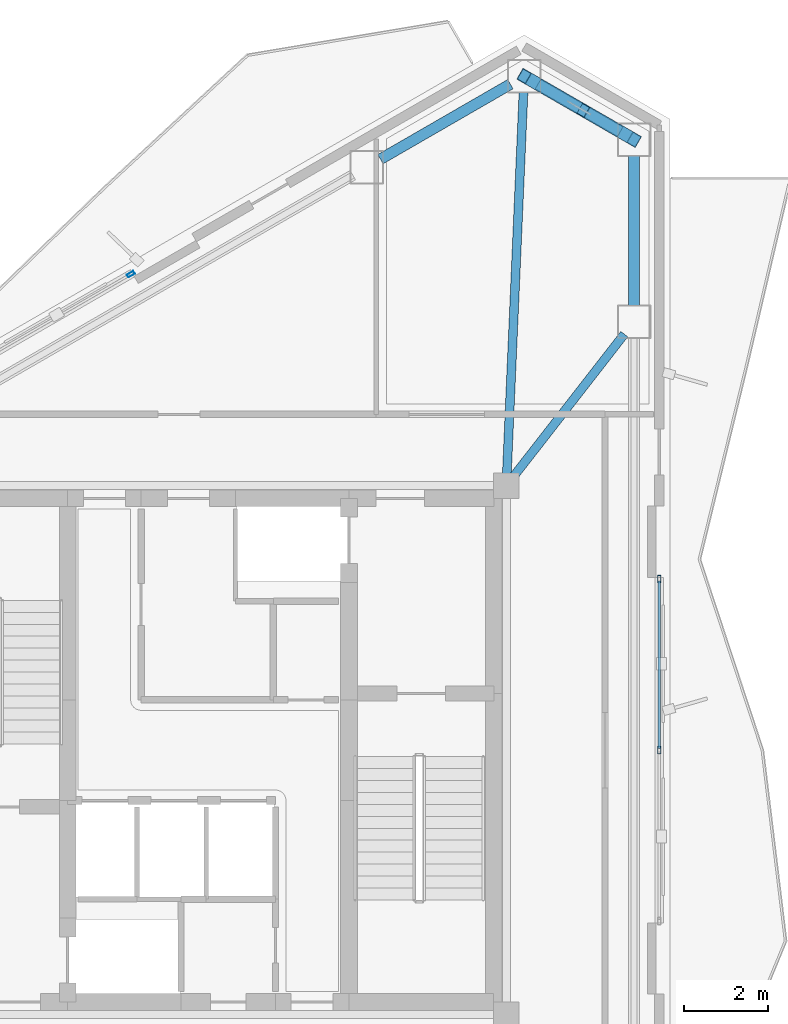
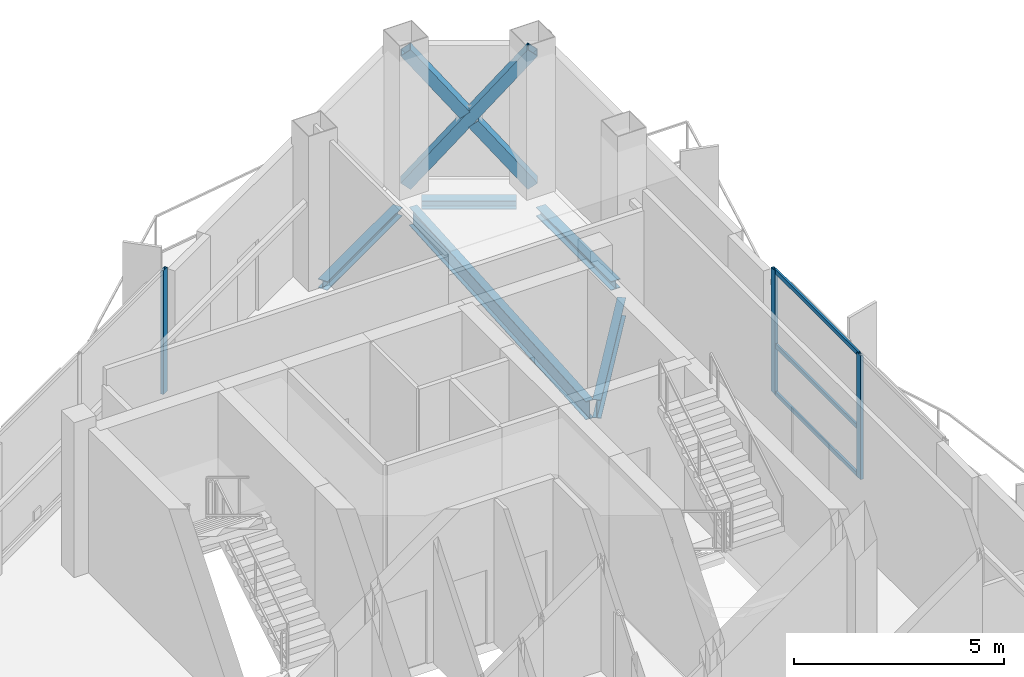
# One storey, part 8 of 14: 9 members, 5 beams, 2 elements without a shape of their own.
"""IFC4 building model written with IfcOpenShell, lengths in metres."""

from ifc_helpers import new_model, si_unit, direction, frame, origin, origin_2d, place, context, subcontext, project, spatial, hollow_rectangle, i_section, extrude, material, layer, layer_set, material_profile, profile_set, type_object, element, aggregate, save


model = new_model("IFC4")

# Units and contexts
model_context = context("Model", 3, precision=1e-05, world=origin(), true_north=direction((0.0, 1.0)))
body_context = subcontext(model_context, "Body", "Model", "MODEL_VIEW")
ifc_project = project(units=[si_unit("LENGTHUNIT", "METRE"), si_unit("AREAUNIT", "SQUARE_METRE"), si_unit("VOLUMEUNIT", "CUBIC_METRE"), si_unit("PLANEANGLEUNIT", "RADIAN"), si_unit("MASSUNIT", "GRAM", prefix="KILO")], contexts=[model_context])

# Site, building, storey
site_placement = place(None, origin())
site = spatial("IfcSite", under=ifc_project, at=site_placement, CompositionType="ELEMENT")
building_placement = place(site_placement, origin())
building = spatial("IfcBuilding", under=site, at=building_placement, Name="Mersakhor Tower and Convention Hall", CompositionType="ELEMENT")
storey_placement = place(building_placement, frame((0.0, 0.0, 254.10009765625)))
storey = spatial("IfcBuildingStorey", under=building, at=storey_placement, Name="L71", CompositionType="ELEMENT", Elevation=254.10009765625)

# Beams
ifc_material_1 = material(Name="Steel S355", Category="steel")
ifc_material_profile_1 = material_profile(ifc_material_1, i_section(OverallWidth=0.2099609375, OverallDepth=0.53662109375, WebThickness=0.0107421875, FlangeThickness=0.017333984375, at=origin_2d()), Name="UB 533x210x101")
ifc_profile_set_1 = profile_set([ifc_material_profile_1], Name="Steel S355")
beam_type_1 = type_object("IfcBeamType", Name="BM-FB-533", PredefinedType="BEAM", material=ifc_profile_set_1)
beam_1_placement = place(storey_placement, frame((36.1123046875, 33.32958984375, -0.548583984375), z_axis=(0.043540774519, 0.999051650794, 0.0), x_axis=(-0.999051650794, 0.043540774519, 0.0)))
element("IfcBeam", 1, at=beam_1_placement, inside=storey, type_object=beam_type_1, Name="L71 Primary Floor Girder FG-2", PredefinedType="BEAM", context=body_context, shape_type="SweptSolid", body=[
    extrude(i_section(OverallWidth=0.2099609375, OverallDepth=0.53662109375, WebThickness=0.0107421875, FlangeThickness=0.017333984375, at=origin_2d()), origin(), (0.0, 0.0, 1.0), 9.10595703125),
])
beam_2_placement = place(storey_placement, frame((36.27197265625, 33.27099609375, -0.548583984375), z_axis=(0.614066533088, 0.789254263809, 0.0), x_axis=(-0.789254263809, 0.614066533088, 0.0)))
element("IfcBeam", 2, at=beam_2_placement, inside=storey, type_object=beam_type_1, Name="L71 Primary Floor Girder FG-3", PredefinedType="BEAM", context=body_context, shape_type="SweptSolid", body=[
    extrude(i_section(OverallWidth=0.2099609375, OverallDepth=0.53662109375, WebThickness=0.0107421875, FlangeThickness=0.017333984375, at=origin_2d()), origin(), (0.0, 0.0, 1.0), 4.295166015625),
])
ifc_material_2 = material(Name="Steel S355", Category="steel")
ifc_material_profile_2 = material_profile(ifc_material_2, i_section(OverallWidth=0.25634765625, OverallDepth=0.26025390625, WebThickness=0.01025390625, FlangeThickness=0.017333984375, at=origin_2d()), Name="UC 254x254x89")
ifc_profile_set_2 = profile_set([ifc_material_profile_2], Name="Steel S355")
beam_type_2 = type_object("IfcBeamType", Name="BM-SPD-UC254", PredefinedType="SPANDREL", material=ifc_profile_set_2)
beam_3_placement = place(storey_placement, frame((33.1005859375, 40.829345703125, -0.41015625), z_axis=(0.866002454009, 0.500039748071, 0.0), x_axis=(-0.500039748071, 0.866002454009, 0.0)))
element("IfcBeam", 3, at=beam_3_placement, inside=storey, type_object=beam_type_2, Name="L71 Perimeter Spandrel Beam SPB-03", PredefinedType="SPANDREL", context=body_context, shape_type="SweptSolid", body=[
    extrude(i_section(OverallWidth=0.25634765625, OverallDepth=0.26025390625, WebThickness=0.01025390625, FlangeThickness=0.017333984375, at=origin_2d()), origin(), (0.0, 0.0, 1.0), 3.574462890625),
])
beam_4_placement = place(storey_placement, frame((36.854248046875, 42.61669921875, -0.41015625), z_axis=(0.866016678684, -0.500015112013, 0.0), x_axis=(0.500015112013, 0.866016678684, 0.0)))
element("IfcBeam", 4, at=beam_4_placement, inside=storey, type_object=beam_type_2, Name="L71 Perimeter Spandrel Beam SPB-04", PredefinedType="SPANDREL", context=body_context, shape_type="SweptSolid", body=[
    extrude(i_section(OverallWidth=0.25634765625, OverallDepth=0.26025390625, WebThickness=0.01025390625, FlangeThickness=0.017333984375, at=origin_2d()), origin(), (0.0, 0.0, 1.0), 2.2626953125),
])
beam_5_placement = place(storey_placement, frame((39.142822265625, 40.915283203125, -0.41015625), z_axis=(0.0, -1.0, 0.0), x_axis=(1.0, 0.0, 0.0)))
element("IfcBeam", 5, at=beam_5_placement, inside=storey, type_object=beam_type_2, Name="L71 Perimeter Spandrel Beam SPB-05", PredefinedType="SPANDREL", context=body_context, shape_type="SweptSolid", body=[
    extrude(i_section(OverallWidth=0.25634765625, OverallDepth=0.26025390625, WebThickness=0.01025390625, FlangeThickness=0.017333984375, at=origin_2d()), origin(), (0.0, 0.0, 1.0), 3.574462890625),
])

# Curtain wall, member
ifc_material_3 = material(Name="Dark solar low-E aluminium curtain wall", Category="aluminium")
ifc_layer = layer(ifc_material_3, 0.2099609375)
ifc_layer_set = layer_set([ifc_layer], Name="Dark solar low-E aluminium curtain wall")
curtain_wall_type = type_object("IfcCurtainWallType", Name="CW-SYS-06", PredefinedType="USERDEFINED", material=ifc_layer_set)
curtain_wall_1_placement = place(storey_placement, origin())
curtain_wall_1 = element("IfcCurtainWall", 6, at=curtain_wall_1_placement, inside=storey, type_object=curtain_wall_type, Name="L71 Dark-Glass Curtain Wall F1-B2", ObjectType="CURTAIN WALL", PredefinedType="USERDEFINED")
ifc_material_4 = material(Name="Anodised aluminium EN AW-6063 T6", Category="aluminium")
ifc_material_profile_3 = material_profile(ifc_material_4, hollow_rectangle(XDim=0.080078125, YDim=0.179931640625, WallThickness=0.008056640625, at=origin_2d()), Name="RHS 180x80x8")
ifc_profile_set_3 = profile_set([ifc_material_profile_3], Name="Anodised aluminium EN AW-6063 T6")
member_type_1 = type_object("IfcMemberType", Name="CWM-180x80", PredefinedType="MULLION", material=ifc_profile_set_3)
member_1_placement = place(storey_placement, frame((27.15673828125, 38.090576171875, 0.199951171875), z_axis=(0.0, 0.0, 1.0), x_axis=(-0.500004411169, 0.86602285698, 0.0)))
member_1 = element("IfcMember", 7, at=member_1_placement, type_object=member_type_1, Name="CW-06 mullion 3", PredefinedType="MULLION", context=body_context, shape_type="SweptSolid", body=[
    extrude(hollow_rectangle(XDim=0.080078125, YDim=0.179931640625, WallThickness=0.008056640625, at=origin_2d()), origin(), (0.0, 0.0, 1.0), 3.599853515625),
])
aggregate(curtain_wall_1, [member_1])

# Curtain wall, members
curtain_wall_2_placement = place(storey_placement, origin())
curtain_wall_2 = element("IfcCurtainWall", 8, at=curtain_wall_2_placement, inside=storey, type_object=curtain_wall_type, Name="L71 Dark-Glass Curtain Wall F2-B2", ObjectType="CURTAIN WALL", PredefinedType="USERDEFINED")
member_2_placement = place(storey_placement, frame((39.742919921875, 30.823974609375, 0.199951171875), z_axis=(0.0, 0.0, 1.0), x_axis=(1.0, 0.0, 0.0)))
member_2 = element("IfcMember", 9, at=member_2_placement, type_object=member_type_1, Name="CW-06 mullion 1", PredefinedType="MULLION", context=body_context, shape_type="SweptSolid", body=[
    extrude(hollow_rectangle(XDim=0.080078125, YDim=0.179931640625, WallThickness=0.008056640625, at=origin_2d()), origin(), (0.0, 0.0, 1.0), 3.599853515625),
])
member_3_placement = place(storey_placement, frame((39.742919921875, 26.75, 0.199951171875), z_axis=(0.0, 0.0, 1.0), x_axis=(1.0, 0.0, 0.0)))
member_3 = element("IfcMember", 10, at=member_3_placement, type_object=member_type_1, Name="CW-06 mullion 2", PredefinedType="MULLION", context=body_context, shape_type="SweptSolid", body=[
    extrude(hollow_rectangle(XDim=0.080078125, YDim=0.179931640625, WallThickness=0.008056640625, at=origin_2d()), origin(), (0.0, 0.0, 1.0), 3.599853515625),
])
ifc_material_5 = material(Name="Anodised aluminium EN AW-6063 T6", Category="aluminium")
ifc_material_profile_4 = material_profile(ifc_material_5, hollow_rectangle(XDim=0.06005859375, YDim=0.1201171875, WallThickness=0.0048828125, at=origin_2d()), Name="RHS 120x60x5")
ifc_profile_set_4 = profile_set([ifc_material_profile_4], Name="Anodised aluminium EN AW-6063 T6")
member_type_2 = type_object("IfcMemberType", Name="CWT-120x60", PredefinedType="USERDEFINED", material=ifc_profile_set_4)
member_4_placement = place(storey_placement, frame((39.742919921875, 30.783935546875, 0.22998046875), z_axis=(0.0, -1.0, 0.0), x_axis=(1.0, 0.0, 0.0)))
member_4 = element("IfcMember", 11, at=member_4_placement, type_object=member_type_2, Name="CW-06 transom 1.1", ObjectType="TRANSOM", PredefinedType="USERDEFINED", context=body_context, shape_type="SweptSolid", body=[
    extrude(hollow_rectangle(XDim=0.06005859375, YDim=0.1201171875, WallThickness=0.0048828125, at=origin_2d()), origin(), (0.0, 0.0, 1.0), 3.993896484375),
])
member_5_placement = place(storey_placement, frame((39.742919921875, 30.783935546875, 1.619873046875), z_axis=(0.0, -1.0, 0.0), x_axis=(1.0, 0.0, 0.0)))
member_5 = element("IfcMember", 12, at=member_5_placement, type_object=member_type_2, Name="CW-06 transom 1.2", ObjectType="TRANSOM", PredefinedType="USERDEFINED", context=body_context, shape_type="SweptSolid", body=[
    extrude(hollow_rectangle(XDim=0.06005859375, YDim=0.1201171875, WallThickness=0.0048828125, at=origin_2d()), origin(), (0.0, 0.0, 1.0), 3.993896484375),
])
member_6_placement = place(storey_placement, frame((39.742919921875, 30.783935546875, 3.77001953125), z_axis=(0.0, -1.0, 0.0), x_axis=(1.0, 0.0, 0.0)))
member_6 = element("IfcMember", 13, at=member_6_placement, type_object=member_type_2, Name="CW-06 transom 1.3", ObjectType="TRANSOM", PredefinedType="USERDEFINED", context=body_context, shape_type="SweptSolid", body=[
    extrude(hollow_rectangle(XDim=0.06005859375, YDim=0.1201171875, WallThickness=0.0048828125, at=origin_2d()), origin(), (0.0, 0.0, 1.0), 3.993896484375),
])
aggregate(curtain_wall_2, [member_2, member_3, member_4, member_5, member_6])

# Members
ifc_material_6 = material(Name="Steel S355", Category="steel")
ifc_material_profile_5 = material_profile(ifc_material_6, hollow_rectangle(XDim=0.300048828125, YDim=0.300048828125, WallThickness=0.01611328125, at=origin_2d()), Name="SHS 300x300x16")
ifc_profile_set_5 = profile_set([ifc_material_profile_5], Name="Steel S355")
member_type_3 = type_object("IfcMemberType", Name="MB-BRC-SHS300", PredefinedType="BRACE", material=ifc_profile_set_5)
member_7_placement = place(storey_placement, frame((36.525146484375, 42.806640625, 0.14990234375), z_axis=(0.53223336692, -0.307267724421, 0.788868929966), x_axis=(0.499978822259, 0.866037630414, 0.0)))
element("IfcMember", 14, at=member_7_placement, inside=storey, type_object=member_type_3, Name="L71 Chamfer Braced Frame Diagonal CB-1A", PredefinedType="BRACE", context=body_context, shape_type="SweptSolid", body=[
    extrude(hollow_rectangle(XDim=0.300048828125, YDim=0.300048828125, WallThickness=0.01611328125, at=origin_2d()), origin(), (0.0, 0.0, 1.0), 4.918212890625),
])
for number, where, z_axis, x_axis, name in (
    (15, (39.142822265625, 41.29541015625, 0.14990234375), (-0.532226414678, 0.307258157895, 0.788877346567), (-0.499972045304, -0.866041542834, 0.0), "L71 Chamfer Braced Frame Diagonal CB-1B Lower Half"),
    (16, (37.747314453125, 42.100830078125, 2.21826171875), (-0.532209026292, 0.307354433682, 0.78885157313), (-0.500101783836, -0.865966630884, 0.0), "L71 Chamfer Braced Frame Diagonal CB-1B Upper Half"),
):
    element("IfcMember", number, at=place(storey_placement, frame(where, z_axis=z_axis, x_axis=x_axis)), inside=storey, type_object=member_type_3, Name=name, PredefinedType="BRACE", context=body_context, shape_type="SweptSolid", body=[
        extrude(hollow_rectangle(XDim=0.300048828125, YDim=0.300048828125, WallThickness=0.01611328125, at=origin_2d()), origin(), (0.0, 0.0, 1.0), 2.29638671875),
    ])

save(model, "model.ifc")
